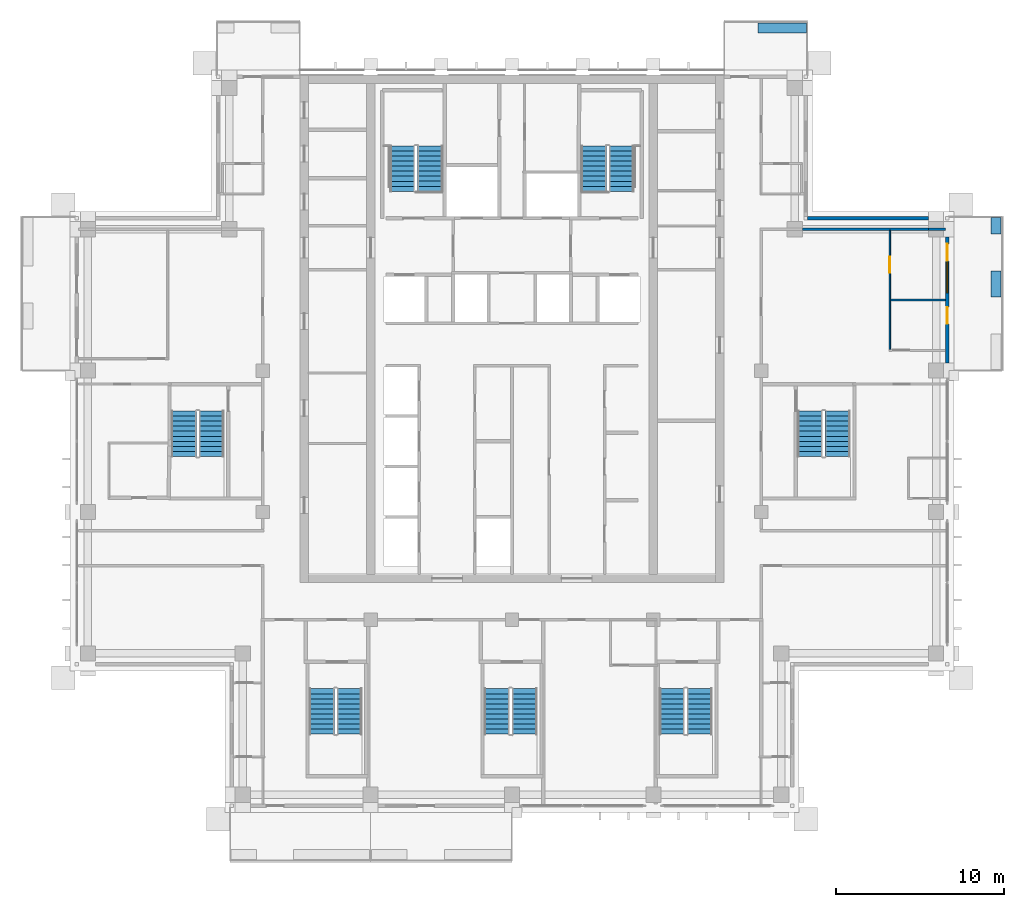
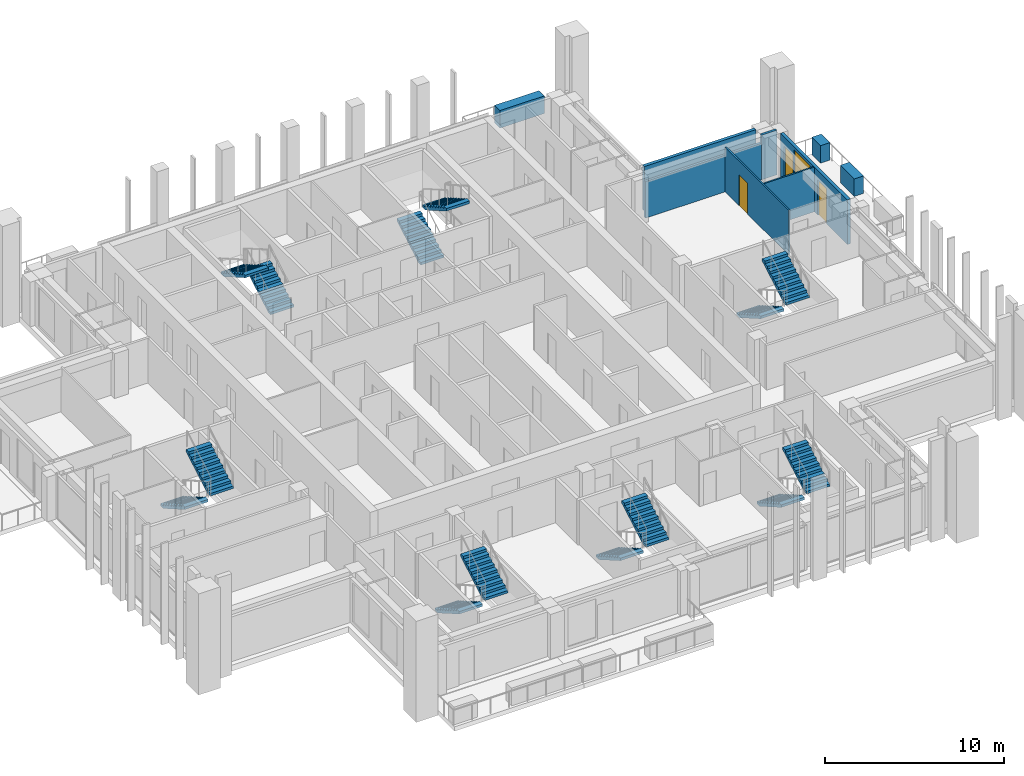
# One storey, part 12 of 16: 14 stair flights, 9 walls, 3 doors, 1 window, 4 openings, 7 elements without a shape of their own.
"""IFC4 building model written with IfcOpenShell, lengths in metres."""

import ifcopenshell
import ifcopenshell.guid

model = None  # the IFC model being written
_history = None  # IfcOwnerHistory: only IFC2X3 demands one
_inside = {}  # id of a spatial element -> (the spatial element, [elements in it])
_under = {}  # id of a project, library or spatial element -> (it, [spatial elements below it])
_declared = {}  # id of a project -> (the project, [libraries it declares])
_typed = {}  # id of a type object -> (the type object, [elements of that type])
_made_of = {}  # id of a material, layer set ... -> (it, [elements and type objects made of it])


def new_model(schema):
    """Start an empty IFC model of exactly this schema.

    Asked for "IFC4X3", IfcOpenShell would pick the latest addendum, in which some entities
    have other attributes; the version numbers below select the first issue.
    IFC2X3 requires an IfcOwnerHistory on every rooted entity: one is made here for all.
    """
    global model, _history
    if schema == "IFC4X3":
        model = ifcopenshell.file(schema_version=(4, 3, 0, 0))
    else:
        model = ifcopenshell.file(schema=schema)
    _inside.clear()
    _under.clear()
    _declared.clear()
    _typed.clear()
    _made_of.clear()
    _history = None
    if model.schema == "IFC2X3":
        org = make("IfcOrganization", Name="unknown")
        user = make(
            "IfcPersonAndOrganization",
            ThePerson=make("IfcPerson", FamilyName="unknown"),
            TheOrganization=org,
        )
        app = make(
            "IfcApplication",
            ApplicationDeveloper=org,
            Version="unknown",
            ApplicationFullName="unknown",
            ApplicationIdentifier="unknown",
        )
        _history = make(
            "IfcOwnerHistory",
            OwningUser=user,
            OwningApplication=app,
            ChangeAction="ADDED",
            CreationDate=0,
        )
    return model


def make(cls, **values):
    """One entity of the class cls with the attributes given. An attribute that is None is left unset."""
    return model.create_entity(
        cls, **{name: value for name, value in values.items() if value is not None}
    )


def rooted(cls, **values):
    """An entity with a GlobalId (a new one), such as an element, a storey or a relation."""
    return make(cls, GlobalId=ifcopenshell.guid.new(), OwnerHistory=_history, **values)


def si_unit(unit_type, name, prefix=None):
    """IfcSIUnit, for example si_unit("LENGTHUNIT", "METRE", prefix="MILLI")."""
    return make("IfcSIUnit", UnitType=unit_type, Prefix=prefix, Name=name)


def assignment(units):
    """IfcUnitAssignment: the units of a project."""
    return None if units is None else make("IfcUnitAssignment", Units=units)


def point(xyz):
    """IfcCartesianPoint."""
    return None if xyz is None else make("IfcCartesianPoint", Coordinates=xyz)


def direction(xyz):
    """IfcDirection."""
    return None if xyz is None else make("IfcDirection", DirectionRatios=xyz)


def frame(location, z_axis=None, x_axis=None):
    """IfcAxis2Placement3D, a coordinate frame: its origin and axes. An axis left out is left unset."""
    return make(
        "IfcAxis2Placement3D",
        Location=point(location),
        Axis=direction(z_axis),
        RefDirection=direction(x_axis),
    )


def frame_2d(location, x_axis=None):
    """IfcAxis2Placement2D, a coordinate frame in the plane: its origin and x axis."""
    return make(
        "IfcAxis2Placement2D", Location=point(location), RefDirection=direction(x_axis)
    )


def origin():
    """The frame at (0, 0, 0) with its axes left unset."""
    return frame((0.0, 0.0, 0.0))


def place(relative_to, where):
    """IfcLocalPlacement: puts the frame where relative to a parent placement (None: the world)."""
    return make(
        "IfcLocalPlacement", PlacementRelTo=relative_to, RelativePlacement=where
    )


def context(
    kind, dimensions, precision=None, world=None, true_north=None, identifier=None
):
    """IfcGeometricRepresentationContext, for example the 3D "Model" context."""
    return make(
        "IfcGeometricRepresentationContext",
        ContextIdentifier=identifier,
        ContextType=kind,
        CoordinateSpaceDimension=dimensions,
        Precision=precision,
        WorldCoordinateSystem=world,
        TrueNorth=true_north,
    )


def subcontext(parent, identifier, kind, view, scale=None):
    """IfcGeometricRepresentationSubContext, for example "Body" below "Model"."""
    return make(
        "IfcGeometricRepresentationSubContext",
        ContextIdentifier=identifier,
        ContextType=kind,
        ParentContext=parent,
        TargetScale=scale,
        TargetView=view,
    )


def project(units=None, contexts=None):
    """IfcProject with its units and contexts."""
    return rooted(
        "IfcProject",
        Name="project",
        RepresentationContexts=contexts,
        UnitsInContext=assignment(units),
    )


def spatial(cls, under=None, at=None, **own):
    """A site, building, storey or space (cls), placed at a placement, below another one or the project."""
    s = rooted(cls, ObjectPlacement=at, **own)
    if under is not None:
        _under.setdefault(under.id(), (under, []))[1].append(s)
    return s


def polyline(points):
    """IfcPolyline through the points."""
    return make("IfcPolyline", Points=[point(p) for p in points])


def profile(cls, at=None, kind="AREA", **sizes):
    """A parametric profile (cls). Its sizes go by their IFC names, for example OverallWidth=200.0."""
    return make(cls, ProfileType=kind, Position=at, **sizes)


def rectangle(**sizes):
    """IfcRectangleProfileDef."""
    return profile("IfcRectangleProfileDef", **sizes)


def outline(outer, holes=None, kind="AREA"):
    """IfcArbitraryClosedProfileDef: a profile drawn as a closed curve; with holes, ...WithVoids."""
    if holes is None:
        return make("IfcArbitraryClosedProfileDef", ProfileType=kind, OuterCurve=outer)
    return make(
        "IfcArbitraryProfileDefWithVoids",
        ProfileType=kind,
        OuterCurve=outer,
        InnerCurves=holes,
    )


def extrude(swept, where, along, depth):
    """IfcExtrudedAreaSolid: the profile swept, set in the frame where, extruded along a direction by depth."""
    return make(
        "IfcExtrudedAreaSolid",
        SweptArea=swept,
        Position=where,
        ExtrudedDirection=direction(along),
        Depth=depth,
    )


def shape(context_of_items, identifier, shape_type, items):
    """IfcShapeRepresentation: the items that make up one representation, for example the "Body"."""
    return make(
        "IfcShapeRepresentation",
        ContextOfItems=context_of_items,
        RepresentationIdentifier=identifier,
        RepresentationType=shape_type,
        Items=items,
    )


def material(Name=None, Category=None):
    """IfcMaterial."""
    return make("IfcMaterial", Name=Name, Category=Category)


def layer(
    of_material, thickness, ventilated=None, Name=None, Category=None, Priority=None
):
    """IfcMaterialLayer: one layer of a wall or slab, of a material (None: an air gap)."""
    return make(
        "IfcMaterialLayer",
        Material=of_material,
        LayerThickness=thickness,
        IsVentilated=ventilated,
        Name=Name,
        Category=Category,
        Priority=Priority,
    )


def layer_set(layers, Name=None):
    """IfcMaterialLayerSet."""
    return make("IfcMaterialLayerSet", MaterialLayers=layers, LayerSetName=Name)


def made_of(thing, what):
    """Note that an element or type object is made of a material, layer set ...; save() writes the relation."""
    if what is not None:
        _made_of.setdefault(what.id(), (what, []))[1].append(thing)
    return thing


def type_object(cls, material=None, **own):
    """A type object (cls), such as IfcWallType, which elements share."""
    return made_of(rooted(cls, **own), material)


def element(
    cls,
    number,
    at=None,
    inside=None,
    cuts=None,
    type_object=None,
    material=None,
    context=None,
    identifier="Body",
    shape_type=None,
    held_by="IfcProductDefinitionShape",
    body=None,
    shapes=None,
    **own,
):
    """One element of the class cls, such as IfcWall. Its Tag is "e" and its number.

    at: its placement. inside: the storey or other place that contains it. cuts: it is an
    opening in that element (IfcRelVoidsElement). A single representation is given by context,
    identifier, shape_type and body (its items); several are given by shapes. held_by: the class
    of the entity that holds the representations. save() writes the other relations.
    """
    e = rooted(cls, Tag="e%d" % number, ObjectPlacement=at, **own)
    if body is not None:
        shapes = [shape(context, identifier, shape_type, body)]
    if shapes is not None:
        e.Representation = make(held_by, Representations=shapes)
    if inside is not None:
        _inside.setdefault(inside.id(), (inside, []))[1].append(e)
    if cuts is not None:
        rooted(
            "IfcRelVoidsElement", RelatingBuildingElement=cuts, RelatedOpeningElement=e
        )
    if type_object is not None:
        _typed.setdefault(type_object.id(), (type_object, []))[1].append(e)
    return made_of(e, material)


def fill(opening, filler):
    """IfcRelFillsElement: the door or window that sits in an opening."""
    return rooted(
        "IfcRelFillsElement",
        RelatingOpeningElement=opening,
        RelatedBuildingElement=filler,
    )


def aggregate(whole, parts):
    """IfcRelAggregates: a whole, such as a stair, and the parts it consists of."""
    return rooted("IfcRelAggregates", RelatingObject=whole, RelatedObjects=parts)


def save(model, path):
    """Write the relations noted so far, then the file.

    IfcRelAggregates (storeys below a building ...), IfcRelContainedInSpatialStructure (elements
    in a storey), IfcRelDefinesByType, IfcRelAssociatesMaterial and IfcRelDeclares: one each for
    every whole, place, type object, material and project.
    """
    for whole, parts in _under.values():
        aggregate(whole, parts)
    for where, things in _inside.values():
        rooted(
            "IfcRelContainedInSpatialStructure",
            RelatedElements=things,
            RelatingStructure=where,
        )
    for kind, things in _typed.values():
        rooted("IfcRelDefinesByType", RelatedObjects=things, RelatingType=kind)
    for what, things in _made_of.values():
        rooted("IfcRelAssociatesMaterial", RelatedObjects=things, RelatingMaterial=what)
    for by, libraries in _declared.values():
        rooted("IfcRelDeclares", RelatingContext=by, RelatedDefinitions=libraries)
    model.write(path)


model = new_model("IFC4")

# Units and contexts
model_context = context("Model", 3, precision=1e-05, world=origin(), true_north=direction((0.0, 1.0)))
body_context = subcontext(model_context, "Body", "Model", "MODEL_VIEW")
ifc_project = project(units=[si_unit("LENGTHUNIT", "METRE"), si_unit("AREAUNIT", "SQUARE_METRE"), si_unit("VOLUMEUNIT", "CUBIC_METRE"), si_unit("PLANEANGLEUNIT", "RADIAN"), si_unit("MASSUNIT", "GRAM", prefix="KILO")], contexts=[model_context])

# Site, building, storey
site_placement = place(None, origin())
site = spatial("IfcSite", under=ifc_project, at=site_placement, CompositionType="ELEMENT")
building_placement = place(site_placement, origin())
building = spatial("IfcBuilding", under=site, at=building_placement, Name="Vermilion Ogive Tower", CompositionType="ELEMENT")
storey_placement = place(building_placement, frame((0.0, 0.0, 233.800048828125)))
storey = spatial("IfcBuildingStorey", under=building, at=storey_placement, Name="L61", CompositionType="ELEMENT", Elevation=233.800048828125)

# Wall
ifc_material_1 = material(Name="Gypsum board partition on steel studs", Category="steel")
ifc_layer_1 = layer(ifc_material_1, 0.10009765625)
ifc_layer_set_1 = layer_set([ifc_layer_1], Name="Partition 100 inner")
wall_type_1 = type_object("IfcWallType", Name="Partition 100 inner", PredefinedType="PARTITIONING", material=ifc_layer_set_1)
wall_1_placement = place(storey_placement, frame((22.5, 8.39990234375, 0.0), z_axis=(0.0, 0.0, 1.0), x_axis=(1.0, 0.0, 0.0)))
element("IfcWall", 1, at=wall_1_placement, inside=storey, type_object=wall_type_1, Name="L61-W-W031", PredefinedType="PARTITIONING", context=body_context, shape_type="SweptSolid", body=[
    extrude(rectangle(XDim=3.25, YDim=0.10009765625, at=frame_2d((1.625, 0.0))), origin(), (0.0, 0.0, 1.0), 3.050048828125),
])

# Wall, opening, door
wall_2_placement = place(storey_placement, frame((22.449951171875, 5.449951171875, 0.0), z_axis=(0.0, 0.0, 1.0), x_axis=(0.0, 1.0, 0.0)))
wall_2 = element("IfcWall", 2, at=wall_2_placement, inside=storey, type_object=wall_type_1, Name="L61-W-W075", PredefinedType="PARTITIONING", context=body_context, shape_type="SweptSolid", body=[
    extrude(rectangle(XDim=7.074951171875, YDim=0.10009765625, at=frame_2d((3.53759765625, 0.0))), origin(), (0.0, 0.0, 1.0), 3.050048828125),
])
opening_1_placement = place(wall_2_placement, frame((4.574951171875, 0.0, 0.0)))
opening_1 = element("IfcOpeningElement", 3, at=opening_1_placement, cuts=wall_2, Name="Opening D5G2017", PredefinedType="OPENING", context=body_context, shape_type="SweptSolid", body=[
    extrude(rectangle(XDim=0.949951171875, YDim=2.10009765625, at=frame_2d((0.47509765625, 1.050048828125))), frame((0.0, 0.06005859375, 0.0), z_axis=(0.0, -1.0, 0.0), x_axis=(1.0, 0.0, 0.0)), (0.0, 0.0, 1.0), 0.1201171875),
])
ifc_material_2 = material(Name="Timber door leaf", Category="wood")
door_type_1 = type_object("IfcDoorType", Name="Inner door 950 x 2100 FD30", OperationType="SINGLE_SWING_LEFT", PredefinedType="DOOR", material=ifc_material_2)
door_1_placement = place(opening_1_placement, origin())
door_1 = element("IfcDoor", 4, at=door_1_placement, inside=storey, type_object=door_type_1, Name="L61-D-D017", OperationType="SINGLE_SWING_RIGHT", OverallHeight=2.10009765625, OverallWidth=0.949951171875, PredefinedType="DOOR", context=body_context, shape_type="SweptSolid", body=[
    extrude(rectangle(XDim=0.949951171875, YDim=2.10009765625, at=frame_2d((0.47509765625, 1.050048828125))), frame((0.0, 0.02490234375, 0.0), z_axis=(0.0, -1.0, 0.0), x_axis=(1.0, 0.0, 0.0)), (0.0, 0.0, 1.0), 0.050048828125),
])
fill(opening_1, door_1)

# Walls
ifc_material_3 = material(Name="Gypsum board partition on steel studs", Category="steel")
ifc_layer_2 = layer(ifc_material_3, 0.14990234375)
ifc_layer_set_2 = layer_set([ifc_layer_2], Name="Partition 150 corridor")
wall_type_2 = type_object("IfcWallType", Name="Partition 150 corridor", PredefinedType="PARTITIONING", material=ifc_layer_set_2)
wall_3_placement = place(storey_placement, frame((17.25, 12.60009765625, 0.0), z_axis=(0.0, 0.0, 1.0), x_axis=(1.0, 0.0, 0.0)))
element("IfcWall", 5, at=wall_3_placement, inside=storey, type_object=wall_type_2, Name="L61-W-W033-h1", PredefinedType="PARTITIONING", context=body_context, shape_type="SweptSolid", body=[
    extrude(rectangle(XDim=7.5, YDim=0.14990234375, at=frame_2d((3.75, 0.0))), origin(), (0.0, 0.0, 1.0), 2.5),
])
wall_4_placement = place(storey_placement, frame((24.75, 12.60009765625, 0.0), z_axis=(0.0, 0.0, 1.0), x_axis=(1.0, 0.0, 0.0)))
element("IfcWall", 6, at=wall_4_placement, inside=storey, type_object=wall_type_2, Name="L61-W-W033-h2", PredefinedType="PARTITIONING", context=body_context, shape_type="SweptSolid", body=[
    extrude(rectangle(XDim=1.0, YDim=0.14990234375, at=frame_2d((0.5, 0.0))), origin(), (0.0, 0.0, 1.0), 3.050048828125),
])
ifc_material_4 = material(Name="Concrete B40", Category="concrete")
ifc_layer_3 = layer(ifc_material_4, 0.60009765625)
ifc_layer_set_3 = layer_set([ifc_layer_3], Name="Structural planter")
wall_type_3 = type_object("IfcWallType", Name="Structural planter", PredefinedType="USERDEFINED", material=ifc_layer_set_3)
wall_5_placement = place(storey_placement, frame((28.75, 8.574951171875, -0.0400390625), z_axis=(0.0, 0.0, 1.0), x_axis=(0.0, 1.0, 0.0)))
element("IfcWall", 7, at=wall_5_placement, inside=storey, type_object=wall_type_3, Name="Planter E03A2", ObjectType="PLANTER", PredefinedType="USERDEFINED", context=body_context, shape_type="SweptSolid", body=[
    extrude(rectangle(XDim=1.550048828125, YDim=0.60009765625, at=frame_2d((0.77490234375, 0.0))), origin(), (0.0, 0.0, 1.0), 1.199951171875),
])
wall_6_placement = place(storey_placement, frame((28.75, 12.324951171875, -0.0400390625), z_axis=(0.0, 0.0, 1.0), x_axis=(0.0, 1.0, 0.0)))
element("IfcWall", 8, at=wall_6_placement, inside=storey, type_object=wall_type_3, Name="Planter E03A3", ObjectType="PLANTER", PredefinedType="USERDEFINED", context=body_context, shape_type="SweptSolid", body=[
    extrude(rectangle(XDim=0.965087890625, YDim=0.60009765625, at=frame_2d((0.482421875, 0.0))), origin(), (0.0, 0.0, 1.0), 1.199951171875),
])
wall_7_placement = place(storey_placement, frame((17.489990234375, 24.550048828125, -0.0400390625), z_axis=(0.0, 0.0, 1.0), x_axis=(-1.0, 0.0, 0.0)))
element("IfcWall", 9, at=wall_7_placement, inside=storey, type_object=wall_type_3, Name="Planter N101A1", ObjectType="PLANTER", PredefinedType="USERDEFINED", context=body_context, shape_type="SweptSolid", body=[
    extrude(rectangle(XDim=2.864990234375, YDim=0.60009765625, at=frame_2d((1.4326171875, 0.0))), origin(), (0.0, 0.0, 1.0), 1.199951171875),
])

# Wall, openings, doors, window
ifc_material_5 = material(Name="Aluminium window wall framing", Category="aluminium")
ifc_layer_4 = layer(ifc_material_5, 0.199951171875)
ifc_layer_set_4 = layer_set([ifc_layer_4], Name="Window wall")
wall_type_4 = type_object("IfcWallType", Name="Window wall", PredefinedType="STANDARD", material=ifc_layer_set_4)
wall_8_placement = place(storey_placement, frame((25.85009765625, 4.64990234375, 0.0), z_axis=(0.0, 0.0, 1.0), x_axis=(0.0, 1.0, 0.0)))
wall_8 = element("IfcWall", 10, at=wall_8_placement, inside=storey, type_object=wall_type_4, Name="Window wall E3", PredefinedType="STANDARD", context=body_context, shape_type="SweptSolid", body=[
    extrude(rectangle(XDim=7.5, YDim=0.199951171875, at=frame_2d((3.75, 0.0))), origin(), (0.0, 0.0, 1.0), 3.050048828125),
])
opening_2_placement = place(wall_8_placement, frame((2.324951171875, 0.0, 0.0)))
opening_2 = element("IfcOpeningElement", 11, at=opening_2_placement, cuts=wall_8, Name="Opening D1-E01", PredefinedType="OPENING", context=body_context, shape_type="SweptSolid", body=[
    extrude(rectangle(XDim=1.0, YDim=2.39990234375, at=frame_2d((0.5, 1.199951171875))), frame((0.0, 0.10986328125, 0.0), z_axis=(0.0, -1.0, 0.0), x_axis=(1.0, 0.0, 0.0)), (0.0, 0.0, 1.0), 0.219970703125),
])
opening_3_placement = place(wall_8_placement, frame((4.175048828125, 0.0, 0.199951171875)))
opening_3 = element("IfcOpeningElement", 12, at=opening_3_placement, cuts=wall_8, Name="Opening W1-E02", PredefinedType="OPENING", context=body_context, shape_type="SweptSolid", body=[
    extrude(rectangle(XDim=1.800048828125, YDim=2.64990234375, at=frame_2d((0.89990234375, 1.324951171875))), frame((0.0, 0.10986328125, 0.0), z_axis=(0.0, -1.0, 0.0), x_axis=(1.0, 0.0, 0.0)), (0.0, 0.0, 1.0), 0.219970703125),
])
opening_4_placement = place(wall_8_placement, frame((6.074951171875, 0.0, 0.0)))
opening_4 = element("IfcOpeningElement", 13, at=opening_4_placement, cuts=wall_8, Name="Opening D1-E02", PredefinedType="OPENING", context=body_context, shape_type="SweptSolid", body=[
    extrude(rectangle(XDim=1.0, YDim=2.39990234375, at=frame_2d((0.5, 1.199951171875))), frame((0.0, 0.10986328125, 0.0), z_axis=(0.0, -1.0, 0.0), x_axis=(1.0, 0.0, 0.0)), (0.0, 0.0, 1.0), 0.219970703125),
])
ifc_material_6 = material(Name="Aluminium framed glazed door", Category="aluminium")
door_type_2 = type_object("IfcDoorType", Name="Balcony door D1", OperationType="SINGLE_SWING_LEFT", PredefinedType="DOOR", material=ifc_material_6)
door_2_placement = place(opening_2_placement, origin())
door_2 = element("IfcDoor", 14, at=door_2_placement, inside=storey, type_object=door_type_2, Name="Balcony door E01", OperationType="SINGLE_SWING_LEFT", OverallHeight=2.39990234375, OverallWidth=1.0, PredefinedType="DOOR", context=body_context, shape_type="SweptSolid", body=[
    extrude(rectangle(XDim=1.0, YDim=2.39990234375, at=frame_2d((0.5, 1.199951171875))), frame((0.0, 0.02490234375, 0.0), z_axis=(0.0, -1.0, 0.0), x_axis=(1.0, 0.0, 0.0)), (0.0, 0.0, 1.0), 0.050048828125),
])
fill(opening_2, door_2)
door_3_placement = place(opening_4_placement, origin())
door_3 = element("IfcDoor", 15, at=door_3_placement, inside=storey, type_object=door_type_2, Name="Balcony door E02", OperationType="SINGLE_SWING_LEFT", OverallHeight=2.39990234375, OverallWidth=1.0, PredefinedType="DOOR", context=body_context, shape_type="SweptSolid", body=[
    extrude(rectangle(XDim=1.0, YDim=2.39990234375, at=frame_2d((0.5, 1.199951171875))), frame((0.0, 0.02490234375, 0.0), z_axis=(0.0, -1.0, 0.0), x_axis=(1.0, 0.0, 0.0)), (0.0, 0.0, 1.0), 0.050048828125),
])
fill(opening_4, door_3)
ifc_material_7 = material(Name="Aluminium framed double glazing", Category="aluminium")
window_type = type_object("IfcWindowType", Name="Guest window W1", PartitioningType="SINGLE_PANEL", PredefinedType="WINDOW", material=ifc_material_7)
window_placement = place(opening_3_placement, origin())
window = element("IfcWindow", 16, at=window_placement, inside=storey, type_object=window_type, Name="Window E02", OverallHeight=2.64990234375, OverallWidth=1.800048828125, PartitioningType="SINGLE_PANEL", PredefinedType="WINDOW", context=body_context, shape_type="SweptSolid", body=[
    extrude(rectangle(XDim=1.800048828125, YDim=2.64990234375, at=frame_2d((0.89990234375, 1.324951171875))), frame((0.0, 0.030029296875, 0.0), z_axis=(0.0, -1.0, 0.0), x_axis=(1.0, 0.0, 0.0)), (0.0, 0.0, 1.0), 0.06005859375),
])
fill(opening_3, window)

# Wall
wall_9_placement = place(storey_placement, frame((24.75, 13.25, 0.0), z_axis=(0.0, 0.0, 1.0), x_axis=(-1.0, 0.0, 0.0)))
element("IfcWall", 17, at=wall_9_placement, inside=storey, type_object=wall_type_4, Name="Window wall X31", PredefinedType="STANDARD", context=body_context, shape_type="SweptSolid", body=[
    extrude(rectangle(XDim=7.199951171875, YDim=0.199951171875, at=frame_2d((3.60009765625, 0.0))), origin(), (0.0, 0.0, 1.0), 3.050048828125),
])

# Stair, stair flights
ifc_material_8 = material(Name="Concrete B40", Category="concrete")
stair_type = type_object("IfcStairType", Name="Exit stair 1500", PredefinedType="HALF_TURN_STAIR", material=ifc_material_8)
stair_1_placement = place(storey_placement, origin())
stair_1 = element("IfcStair", 18, at=stair_1_placement, inside=storey, type_object=stair_type, Name="L61 Exit Stair ST1", PredefinedType="HALF_TURN_STAIR")
ifc_material_9 = material(Name="Concrete B40", Category="concrete")
stair_flight_type = type_object("IfcStairFlightType", Name="Stair flight 1500", PredefinedType="STRAIGHT", material=ifc_material_9)
stair_flight_1_placement = place(storey_placement, frame((-4.85009765625, 14.85009765625, 0.0), z_axis=(0.0, 0.0, 1.0), x_axis=(0.0, 1.0, 0.0)))
stair_flight_1 = element("IfcStairFlight", 19, at=stair_flight_1_placement, type_object=stair_flight_type, Name="ST1 flight 1", NumberOfRisers=10, NumberOfTreads=9, PredefinedType="STRAIGHT", RiserHeight=0.1725, TreadLength=0.3, context=body_context, shape_type="SweptSolid", body=[
    extrude(outline(polyline([(0.0, 0.0), (0.0, 0.172607421875), (0.300048828125, 0.172607421875), (0.300048828125, 0.344970703125), (0.60009765625, 0.344970703125), (0.60009765625, 0.517578125), (0.89990234375, 0.517578125), (0.89990234375, 0.68994140625), (1.199951171875, 0.68994140625), (1.199951171875, 0.862548828125), (1.5, 0.862548828125), (1.5, 1.034912109375), (1.800048828125, 1.034912109375), (1.800048828125, 1.20751953125), (2.10009765625, 1.20751953125), (2.10009765625, 1.3798828125), (2.39990234375, 1.3798828125), (2.39990234375, 1.552490234375), (2.699951171875, 1.552490234375), (2.699951171875, 1.72509765625), (2.699951171875, 1.379638671875), (0.30078125, 0.0), (0.0, 0.0)])), frame((0.0, 0.75, 0.0), z_axis=(0.0, -1.0, 0.0), x_axis=(1.0, 0.0, 0.0)), (0.0, 0.0, 1.0), 1.5),
])
stair_flight_2_placement = place(storey_placement, frame((-6.5, 17.550048828125, 1.724853515625), z_axis=(0.0, 0.0, 1.0), x_axis=(0.0, -1.0, 0.0)))
stair_flight_2 = element("IfcStairFlight", 20, at=stair_flight_2_placement, type_object=stair_flight_type, Name="ST1 flight 2", NumberOfRisers=10, NumberOfTreads=9, PredefinedType="STRAIGHT", RiserHeight=0.1725, TreadLength=0.3, context=body_context, shape_type="SweptSolid", body=[
    extrude(outline(polyline([(0.0, 0.0), (0.0, 0.172607421875), (0.300048828125, 0.172607421875), (0.300048828125, 0.344970703125), (0.60009765625, 0.344970703125), (0.60009765625, 0.517578125), (0.89990234375, 0.517578125), (0.89990234375, 0.68994140625), (1.199951171875, 0.68994140625), (1.199951171875, 0.862548828125), (1.5, 0.862548828125), (1.5, 1.034912109375), (1.800048828125, 1.034912109375), (1.800048828125, 1.20751953125), (2.10009765625, 1.20751953125), (2.10009765625, 1.3798828125), (2.39990234375, 1.3798828125), (2.39990234375, 1.552490234375), (2.699951171875, 1.552490234375), (2.699951171875, 1.72509765625), (2.699951171875, 1.379638671875), (0.30078125, 0.0), (0.0, 0.0)])), frame((0.0, 0.75, 0.0), z_axis=(0.0, -1.0, 0.0), x_axis=(1.0, 0.0, 0.0)), (0.0, 0.0, 1.0), 1.5),
])
aggregate(stair_1, [stair_flight_1, stair_flight_2])

stair_2_placement = place(storey_placement, origin())
stair_2 = element("IfcStair", 21, at=stair_2_placement, inside=storey, type_object=stair_type, Name="L61 Exit Stair ST2", PredefinedType="HALF_TURN_STAIR")
stair_flight_3_placement = place(storey_placement, frame((4.85009765625, 14.85009765625, 0.0), z_axis=(0.0, 0.0, 1.0), x_axis=(0.0, 1.0, 0.0)))
stair_flight_3 = element("IfcStairFlight", 22, at=stair_flight_3_placement, type_object=stair_flight_type, Name="ST2 flight 1", NumberOfRisers=10, NumberOfTreads=9, PredefinedType="STRAIGHT", RiserHeight=0.1725, TreadLength=0.3, context=body_context, shape_type="SweptSolid", body=[
    extrude(outline(polyline([(0.0, 0.0), (0.0, 0.172607421875), (0.300048828125, 0.172607421875), (0.300048828125, 0.344970703125), (0.60009765625, 0.344970703125), (0.60009765625, 0.517578125), (0.89990234375, 0.517578125), (0.89990234375, 0.68994140625), (1.199951171875, 0.68994140625), (1.199951171875, 0.862548828125), (1.5, 0.862548828125), (1.5, 1.034912109375), (1.800048828125, 1.034912109375), (1.800048828125, 1.20751953125), (2.10009765625, 1.20751953125), (2.10009765625, 1.3798828125), (2.39990234375, 1.3798828125), (2.39990234375, 1.552490234375), (2.699951171875, 1.552490234375), (2.699951171875, 1.72509765625), (2.699951171875, 1.379638671875), (0.30078125, 0.0), (0.0, 0.0)])), frame((0.0, 0.75, 0.0), z_axis=(0.0, -1.0, 0.0), x_axis=(1.0, 0.0, 0.0)), (0.0, 0.0, 1.0), 1.5),
])
stair_flight_4_placement = place(storey_placement, frame((6.5, 17.550048828125, 1.724853515625), z_axis=(0.0, 0.0, 1.0), x_axis=(0.0, -1.0, 0.0)))
stair_flight_4 = element("IfcStairFlight", 23, at=stair_flight_4_placement, type_object=stair_flight_type, Name="ST2 flight 2", NumberOfRisers=10, NumberOfTreads=9, PredefinedType="STRAIGHT", RiserHeight=0.1725, TreadLength=0.3, context=body_context, shape_type="SweptSolid", body=[
    extrude(outline(polyline([(0.0, 0.0), (0.0, 0.172607421875), (0.300048828125, 0.172607421875), (0.300048828125, 0.344970703125), (0.60009765625, 0.344970703125), (0.60009765625, 0.517578125), (0.89990234375, 0.517578125), (0.89990234375, 0.68994140625), (1.199951171875, 0.68994140625), (1.199951171875, 0.862548828125), (1.5, 0.862548828125), (1.5, 1.034912109375), (1.800048828125, 1.034912109375), (1.800048828125, 1.20751953125), (2.10009765625, 1.20751953125), (2.10009765625, 1.3798828125), (2.39990234375, 1.3798828125), (2.39990234375, 1.552490234375), (2.699951171875, 1.552490234375), (2.699951171875, 1.72509765625), (2.699951171875, 1.379638671875), (0.30078125, 0.0), (0.0, 0.0)])), frame((0.0, 0.75, 0.0), z_axis=(0.0, -1.0, 0.0), x_axis=(1.0, 0.0, 0.0)), (0.0, 0.0, 1.0), 1.5),
])
aggregate(stair_2, [stair_flight_3, stair_flight_4])

stair_3_placement = place(storey_placement, origin())
stair_3 = element("IfcStair", 24, at=stair_3_placement, inside=storey, type_object=stair_type, Name="L61 Exit Stair ST3", PredefinedType="HALF_TURN_STAIR")
stair_flight_5_placement = place(storey_placement, frame((-11.300048828125, -14.699951171875, 0.0), z_axis=(0.0, 0.0, 1.0), x_axis=(0.0, -1.0, 0.0)))
stair_flight_5 = element("IfcStairFlight", 25, at=stair_flight_5_placement, type_object=stair_flight_type, Name="ST3 flight 1", NumberOfRisers=10, NumberOfTreads=9, PredefinedType="STRAIGHT", RiserHeight=0.1725, TreadLength=0.3, context=body_context, shape_type="SweptSolid", body=[
    extrude(outline(polyline([(0.0, 0.0), (0.0, 0.172607421875), (0.300048828125, 0.172607421875), (0.300048828125, 0.344970703125), (0.60009765625, 0.344970703125), (0.60009765625, 0.517578125), (0.89990234375, 0.517578125), (0.89990234375, 0.68994140625), (1.199951171875, 0.68994140625), (1.199951171875, 0.862548828125), (1.5, 0.862548828125), (1.5, 1.034912109375), (1.800048828125, 1.034912109375), (1.800048828125, 1.20751953125), (2.10009765625, 1.20751953125), (2.10009765625, 1.3798828125), (2.39990234375, 1.3798828125), (2.39990234375, 1.552490234375), (2.699951171875, 1.552490234375), (2.699951171875, 1.72509765625), (2.699951171875, 1.379638671875), (0.30078125, 0.0), (0.0, 0.0)])), frame((0.0, 0.75, 0.0), z_axis=(0.0, -1.0, 0.0), x_axis=(1.0, 0.0, 0.0)), (0.0, 0.0, 1.0), 1.5),
])
stair_flight_6_placement = place(storey_placement, frame((-9.64990234375, -17.39990234375, 1.724853515625), z_axis=(0.0, 0.0, 1.0), x_axis=(0.0, 1.0, 0.0)))
stair_flight_6 = element("IfcStairFlight", 26, at=stair_flight_6_placement, type_object=stair_flight_type, Name="ST3 flight 2", NumberOfRisers=10, NumberOfTreads=9, PredefinedType="STRAIGHT", RiserHeight=0.1725, TreadLength=0.3, context=body_context, shape_type="SweptSolid", body=[
    extrude(outline(polyline([(0.0, 0.0), (0.0, 0.172607421875), (0.300048828125, 0.172607421875), (0.300048828125, 0.344970703125), (0.60009765625, 0.344970703125), (0.60009765625, 0.517578125), (0.89990234375, 0.517578125), (0.89990234375, 0.68994140625), (1.199951171875, 0.68994140625), (1.199951171875, 0.862548828125), (1.5, 0.862548828125), (1.5, 1.034912109375), (1.800048828125, 1.034912109375), (1.800048828125, 1.20751953125), (2.10009765625, 1.20751953125), (2.10009765625, 1.3798828125), (2.39990234375, 1.3798828125), (2.39990234375, 1.552490234375), (2.699951171875, 1.552490234375), (2.699951171875, 1.72509765625), (2.699951171875, 1.379638671875), (0.30078125, 0.0), (0.0, 0.0)])), frame((0.0, 0.75, 0.0), z_axis=(0.0, -1.0, 0.0), x_axis=(1.0, 0.0, 0.0)), (0.0, 0.0, 1.0), 1.5),
])
aggregate(stair_3, [stair_flight_5, stair_flight_6])

stair_4_placement = place(storey_placement, origin())
stair_4 = element("IfcStair", 27, at=stair_4_placement, inside=storey, type_object=stair_type, Name="L61 Exit Stair ST4", PredefinedType="HALF_TURN_STAIR")
stair_flight_7_placement = place(storey_placement, frame((-0.89990234375, -14.699951171875, 0.0), z_axis=(0.0, 0.0, 1.0), x_axis=(0.0, -1.0, 0.0)))
stair_flight_7 = element("IfcStairFlight", 28, at=stair_flight_7_placement, type_object=stair_flight_type, Name="ST4 flight 1", NumberOfRisers=10, NumberOfTreads=9, PredefinedType="STRAIGHT", RiserHeight=0.1725, TreadLength=0.3, context=body_context, shape_type="SweptSolid", body=[
    extrude(outline(polyline([(0.0, 0.0), (0.0, 0.172607421875), (0.300048828125, 0.172607421875), (0.300048828125, 0.344970703125), (0.60009765625, 0.344970703125), (0.60009765625, 0.517578125), (0.89990234375, 0.517578125), (0.89990234375, 0.68994140625), (1.199951171875, 0.68994140625), (1.199951171875, 0.862548828125), (1.5, 0.862548828125), (1.5, 1.034912109375), (1.800048828125, 1.034912109375), (1.800048828125, 1.20751953125), (2.10009765625, 1.20751953125), (2.10009765625, 1.3798828125), (2.39990234375, 1.3798828125), (2.39990234375, 1.552490234375), (2.699951171875, 1.552490234375), (2.699951171875, 1.72509765625), (2.699951171875, 1.379638671875), (0.30078125, 0.0), (0.0, 0.0)])), frame((0.0, 0.75, 0.0), z_axis=(0.0, -1.0, 0.0), x_axis=(1.0, 0.0, 0.0)), (0.0, 0.0, 1.0), 1.5),
])
stair_flight_8_placement = place(storey_placement, frame((0.75, -17.39990234375, 1.724853515625), z_axis=(0.0, 0.0, 1.0), x_axis=(0.0, 1.0, 0.0)))
stair_flight_8 = element("IfcStairFlight", 29, at=stair_flight_8_placement, type_object=stair_flight_type, Name="ST4 flight 2", NumberOfRisers=10, NumberOfTreads=9, PredefinedType="STRAIGHT", RiserHeight=0.1725, TreadLength=0.3, context=body_context, shape_type="SweptSolid", body=[
    extrude(outline(polyline([(0.0, 0.0), (0.0, 0.172607421875), (0.300048828125, 0.172607421875), (0.300048828125, 0.344970703125), (0.60009765625, 0.344970703125), (0.60009765625, 0.517578125), (0.89990234375, 0.517578125), (0.89990234375, 0.68994140625), (1.199951171875, 0.68994140625), (1.199951171875, 0.862548828125), (1.5, 0.862548828125), (1.5, 1.034912109375), (1.800048828125, 1.034912109375), (1.800048828125, 1.20751953125), (2.10009765625, 1.20751953125), (2.10009765625, 1.3798828125), (2.39990234375, 1.3798828125), (2.39990234375, 1.552490234375), (2.699951171875, 1.552490234375), (2.699951171875, 1.72509765625), (2.699951171875, 1.379638671875), (0.30078125, 0.0), (0.0, 0.0)])), frame((0.0, 0.75, 0.0), z_axis=(0.0, -1.0, 0.0), x_axis=(1.0, 0.0, 0.0)), (0.0, 0.0, 1.0), 1.5),
])
aggregate(stair_4, [stair_flight_7, stair_flight_8])

stair_5_placement = place(storey_placement, origin())
stair_5 = element("IfcStair", 30, at=stair_5_placement, inside=storey, type_object=stair_type, Name="L61 Exit Stair ST5", PredefinedType="HALF_TURN_STAIR")
stair_flight_9_placement = place(storey_placement, frame((9.5, -14.699951171875, 0.0), z_axis=(0.0, 0.0, 1.0), x_axis=(0.0, -1.0, 0.0)))
stair_flight_9 = element("IfcStairFlight", 31, at=stair_flight_9_placement, type_object=stair_flight_type, Name="ST5 flight 1", NumberOfRisers=10, NumberOfTreads=9, PredefinedType="STRAIGHT", RiserHeight=0.1725, TreadLength=0.3, context=body_context, shape_type="SweptSolid", body=[
    extrude(outline(polyline([(0.0, 0.0), (0.0, 0.172607421875), (0.300048828125, 0.172607421875), (0.300048828125, 0.344970703125), (0.60009765625, 0.344970703125), (0.60009765625, 0.517578125), (0.89990234375, 0.517578125), (0.89990234375, 0.68994140625), (1.199951171875, 0.68994140625), (1.199951171875, 0.862548828125), (1.5, 0.862548828125), (1.5, 1.034912109375), (1.800048828125, 1.034912109375), (1.800048828125, 1.20751953125), (2.10009765625, 1.20751953125), (2.10009765625, 1.3798828125), (2.39990234375, 1.3798828125), (2.39990234375, 1.552490234375), (2.699951171875, 1.552490234375), (2.699951171875, 1.72509765625), (2.699951171875, 1.379638671875), (0.30078125, 0.0), (0.0, 0.0)])), frame((0.0, 0.75, 0.0), z_axis=(0.0, -1.0, 0.0), x_axis=(1.0, 0.0, 0.0)), (0.0, 0.0, 1.0), 1.5),
])
stair_flight_10_placement = place(storey_placement, frame((11.14990234375, -17.39990234375, 1.724853515625), z_axis=(0.0, 0.0, 1.0), x_axis=(0.0, 1.0, 0.0)))
stair_flight_10 = element("IfcStairFlight", 32, at=stair_flight_10_placement, type_object=stair_flight_type, Name="ST5 flight 2", NumberOfRisers=10, NumberOfTreads=9, PredefinedType="STRAIGHT", RiserHeight=0.1725, TreadLength=0.3, context=body_context, shape_type="SweptSolid", body=[
    extrude(outline(polyline([(0.0, 0.0), (0.0, 0.172607421875), (0.300048828125, 0.172607421875), (0.300048828125, 0.344970703125), (0.60009765625, 0.344970703125), (0.60009765625, 0.517578125), (0.89990234375, 0.517578125), (0.89990234375, 0.68994140625), (1.199951171875, 0.68994140625), (1.199951171875, 0.862548828125), (1.5, 0.862548828125), (1.5, 1.034912109375), (1.800048828125, 1.034912109375), (1.800048828125, 1.20751953125), (2.10009765625, 1.20751953125), (2.10009765625, 1.3798828125), (2.39990234375, 1.3798828125), (2.39990234375, 1.552490234375), (2.699951171875, 1.552490234375), (2.699951171875, 1.72509765625), (2.699951171875, 1.379638671875), (0.30078125, 0.0), (0.0, 0.0)])), frame((0.0, 0.75, 0.0), z_axis=(0.0, -1.0, 0.0), x_axis=(1.0, 0.0, 0.0)), (0.0, 0.0, 1.0), 1.5),
])
aggregate(stair_5, [stair_flight_9, stair_flight_10])

stair_6_placement = place(storey_placement, origin())
stair_6 = element("IfcStair", 33, at=stair_6_placement, inside=storey, type_object=stair_type, Name="L61 Exit Stair ST8", PredefinedType="HALF_TURN_STAIR")
stair_flight_11_placement = place(storey_placement, frame((17.699951171875, 1.800048828125, 0.0), z_axis=(0.0, 0.0, 1.0), x_axis=(0.0, -1.0, 0.0)))
stair_flight_11 = element("IfcStairFlight", 34, at=stair_flight_11_placement, type_object=stair_flight_type, Name="ST8 flight 1", NumberOfRisers=10, NumberOfTreads=9, PredefinedType="STRAIGHT", RiserHeight=0.1725, TreadLength=0.3, context=body_context, shape_type="SweptSolid", body=[
    extrude(outline(polyline([(0.0, 0.0), (0.0, 0.172607421875), (0.300048828125, 0.172607421875), (0.300048828125, 0.344970703125), (0.60009765625, 0.344970703125), (0.60009765625, 0.517578125), (0.89990234375, 0.517578125), (0.89990234375, 0.68994140625), (1.199951171875, 0.68994140625), (1.199951171875, 0.862548828125), (1.5, 0.862548828125), (1.5, 1.034912109375), (1.800048828125, 1.034912109375), (1.800048828125, 1.20751953125), (2.10009765625, 1.20751953125), (2.10009765625, 1.3798828125), (2.39990234375, 1.3798828125), (2.39990234375, 1.552490234375), (2.699951171875, 1.552490234375), (2.699951171875, 1.72509765625), (2.699951171875, 1.379638671875), (0.30078125, 0.0), (0.0, 0.0)])), frame((0.0, 0.75, 0.0), z_axis=(0.0, -1.0, 0.0), x_axis=(1.0, 0.0, 0.0)), (0.0, 0.0, 1.0), 1.5),
])
stair_flight_12_placement = place(storey_placement, frame((19.35009765625, -0.89990234375, 1.724853515625), z_axis=(0.0, 0.0, 1.0), x_axis=(0.0, 1.0, 0.0)))
stair_flight_12 = element("IfcStairFlight", 35, at=stair_flight_12_placement, type_object=stair_flight_type, Name="ST8 flight 2", NumberOfRisers=10, NumberOfTreads=9, PredefinedType="STRAIGHT", RiserHeight=0.1725, TreadLength=0.3, context=body_context, shape_type="SweptSolid", body=[
    extrude(outline(polyline([(0.0, 0.0), (0.0, 0.172607421875), (0.300048828125, 0.172607421875), (0.300048828125, 0.344970703125), (0.60009765625, 0.344970703125), (0.60009765625, 0.517578125), (0.89990234375, 0.517578125), (0.89990234375, 0.68994140625), (1.199951171875, 0.68994140625), (1.199951171875, 0.862548828125), (1.5, 0.862548828125), (1.5, 1.034912109375), (1.800048828125, 1.034912109375), (1.800048828125, 1.20751953125), (2.10009765625, 1.20751953125), (2.10009765625, 1.3798828125), (2.39990234375, 1.3798828125), (2.39990234375, 1.552490234375), (2.699951171875, 1.552490234375), (2.699951171875, 1.72509765625), (2.699951171875, 1.379638671875), (0.30078125, 0.0), (0.0, 0.0)])), frame((0.0, 0.75, 0.0), z_axis=(0.0, -1.0, 0.0), x_axis=(1.0, 0.0, 0.0)), (0.0, 0.0, 1.0), 1.5),
])
aggregate(stair_6, [stair_flight_11, stair_flight_12])

stair_7_placement = place(storey_placement, origin())
stair_7 = element("IfcStair", 36, at=stair_7_placement, inside=storey, type_object=stair_type, Name="L61 Exit Stair ST9", PredefinedType="HALF_TURN_STAIR")
stair_flight_13_placement = place(storey_placement, frame((-19.5, 1.800048828125, 0.0), z_axis=(0.0, 0.0, 1.0), x_axis=(0.0, -1.0, 0.0)))
stair_flight_13 = element("IfcStairFlight", 37, at=stair_flight_13_placement, type_object=stair_flight_type, Name="ST9 flight 1", NumberOfRisers=10, NumberOfTreads=9, PredefinedType="STRAIGHT", RiserHeight=0.1725, TreadLength=0.3, context=body_context, shape_type="SweptSolid", body=[
    extrude(outline(polyline([(0.0, 0.0), (0.0, 0.172607421875), (0.300048828125, 0.172607421875), (0.300048828125, 0.344970703125), (0.60009765625, 0.344970703125), (0.60009765625, 0.517578125), (0.89990234375, 0.517578125), (0.89990234375, 0.68994140625), (1.199951171875, 0.68994140625), (1.199951171875, 0.862548828125), (1.5, 0.862548828125), (1.5, 1.034912109375), (1.800048828125, 1.034912109375), (1.800048828125, 1.20751953125), (2.10009765625, 1.20751953125), (2.10009765625, 1.3798828125), (2.39990234375, 1.3798828125), (2.39990234375, 1.552490234375), (2.699951171875, 1.552490234375), (2.699951171875, 1.72509765625), (2.699951171875, 1.379638671875), (0.30078125, 0.0), (0.0, 0.0)])), frame((0.0, 0.75, 0.0), z_axis=(0.0, -1.0, 0.0), x_axis=(1.0, 0.0, 0.0)), (0.0, 0.0, 1.0), 1.5),
])
stair_flight_14_placement = place(storey_placement, frame((-17.85009765625, -0.89990234375, 1.724853515625), z_axis=(0.0, 0.0, 1.0), x_axis=(0.0, 1.0, 0.0)))
stair_flight_14 = element("IfcStairFlight", 38, at=stair_flight_14_placement, type_object=stair_flight_type, Name="ST9 flight 2", NumberOfRisers=10, NumberOfTreads=9, PredefinedType="STRAIGHT", RiserHeight=0.1725, TreadLength=0.3, context=body_context, shape_type="SweptSolid", body=[
    extrude(outline(polyline([(0.0, 0.0), (0.0, 0.172607421875), (0.300048828125, 0.172607421875), (0.300048828125, 0.344970703125), (0.60009765625, 0.344970703125), (0.60009765625, 0.517578125), (0.89990234375, 0.517578125), (0.89990234375, 0.68994140625), (1.199951171875, 0.68994140625), (1.199951171875, 0.862548828125), (1.5, 0.862548828125), (1.5, 1.034912109375), (1.800048828125, 1.034912109375), (1.800048828125, 1.20751953125), (2.10009765625, 1.20751953125), (2.10009765625, 1.3798828125), (2.39990234375, 1.3798828125), (2.39990234375, 1.552490234375), (2.699951171875, 1.552490234375), (2.699951171875, 1.72509765625), (2.699951171875, 1.379638671875), (0.30078125, 0.0), (0.0, 0.0)])), frame((0.0, 0.75, 0.0), z_axis=(0.0, -1.0, 0.0), x_axis=(1.0, 0.0, 0.0)), (0.0, 0.0, 1.0), 1.5),
])
aggregate(stair_7, [stair_flight_13, stair_flight_14])

save(model, "model.ifc")
